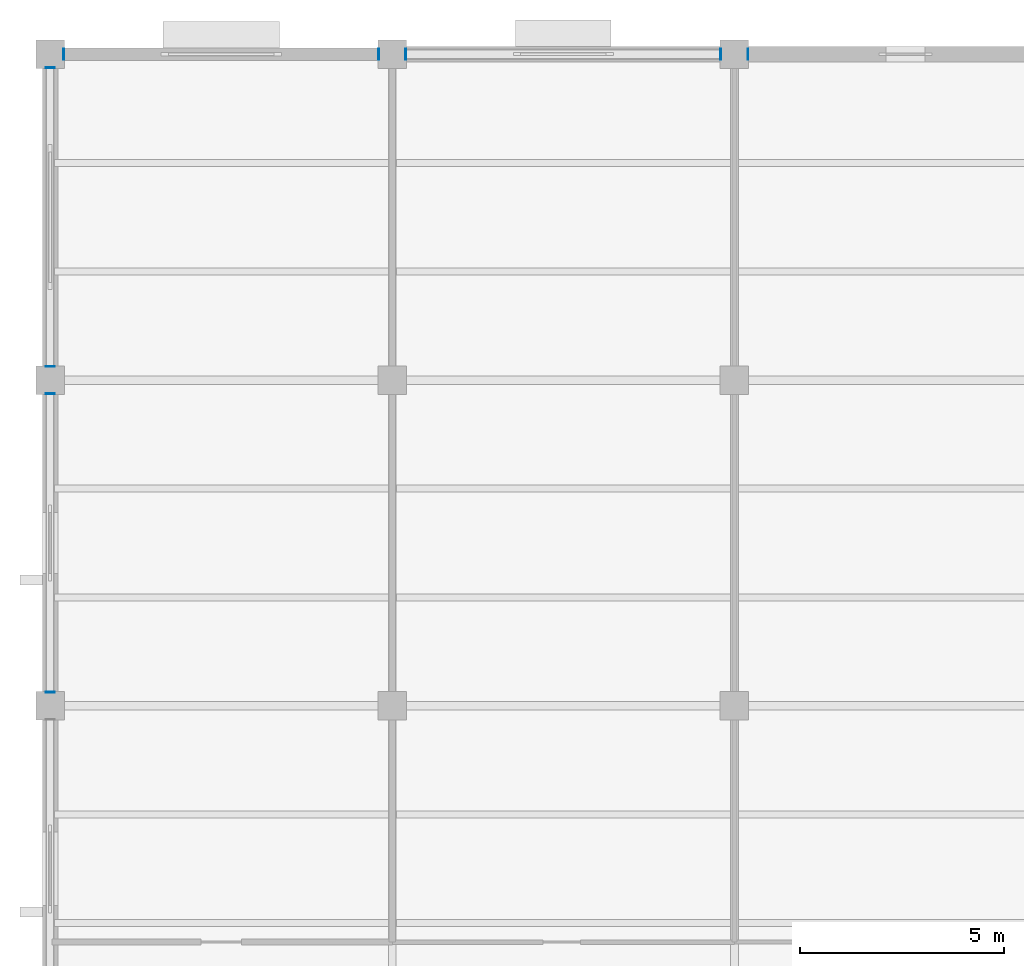
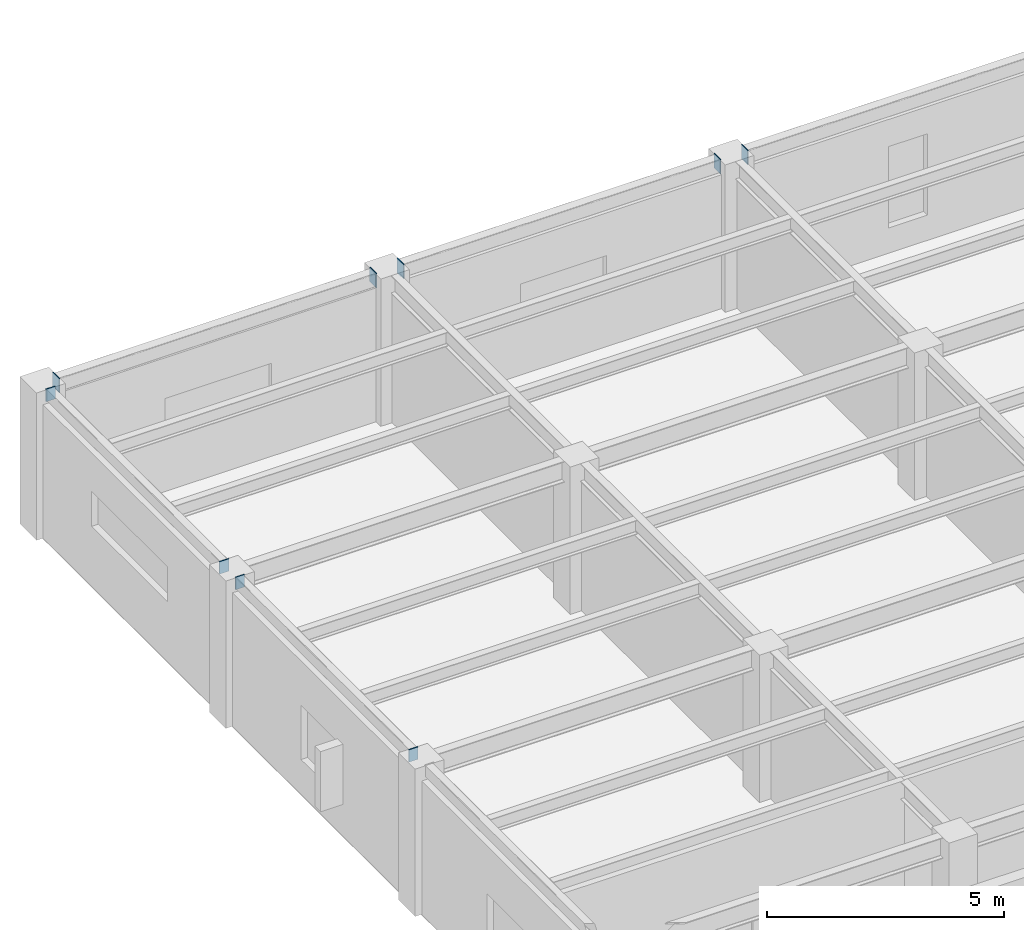
# One storey, part 106 of 138: 9 discrete accessories.
"""IFC4 building model written with IfcOpenShell, lengths in metres."""

from ifc_helpers import new_model, si_unit, direction, frame, origin, origin_2d, place, context, subcontext, project, spatial, rectangle, extrude, material, layer, layer_set, type_object, element, save


model = new_model("IFC4")

# Units and contexts
model_context = context("Model", 3, precision=1e-05, world=origin(), true_north=direction((0.0, 1.0)))
body_context = subcontext(model_context, "Body", "Model", "MODEL_VIEW")
ifc_project = project(units=[si_unit("LENGTHUNIT", "METRE"), si_unit("AREAUNIT", "SQUARE_METRE"), si_unit("VOLUMEUNIT", "CUBIC_METRE"), si_unit("PLANEANGLEUNIT", "RADIAN"), si_unit("MASSUNIT", "GRAM", prefix="KILO")], contexts=[model_context])

# Site, building, storey
site_placement = place(None, origin())
site = spatial("IfcSite", under=ifc_project, at=site_placement, CompositionType="ELEMENT")
building_placement = place(site_placement, origin())
building = spatial("IfcBuilding", under=site, at=building_placement, Name="Kranzveld Transit Interchange", CompositionType="ELEMENT")
storey_placement = place(building_placement, frame((0.0, 0.0, 5.43994140625)))
storey = spatial("IfcBuildingStorey", under=building, at=storey_placement, Name="L01", CompositionType="ELEMENT", Elevation=5.43994140625)

# Discrete accessories
ifc_material = material(Name="Steel S355JR", Category="steel")
ifc_layer = layer(ifc_material, 0.02001953125)
ifc_layer_set = layer_set([ifc_layer], Name="Steel S355JR")
discrete_accessory_type = type_object("IfcDiscreteAccessoryType", Name="Hollow Section End Cap Bracket 20 S355JR", PredefinedType="BRACKET", material=ifc_layer_set)
for number, where, z_axis, x_axis, name in (
    (1, (0.343994140625, 112.0, 3.625), (-1.0, 0.0, 0.0), (0.0, -1.0, 0.0), "Hollow Section End Cap SP-RHS350-1"),
    (2, (8.055908203125, 112.0, 3.625), (1.0, 0.0, 0.0), (0.0, 1.0, 0.0), "Hollow Section End Cap SP-RHS350-2"),
):
    element("IfcDiscreteAccessory", number, at=place(storey_placement, frame(where, z_axis=z_axis, x_axis=x_axis)), inside=storey, type_object=discrete_accessory_type, Name=name, PredefinedType="BRACKET", context=body_context, shape_type="SweptSolid", body=[
        extrude(rectangle(XDim=0.27392578125, YDim=0.3740234375, at=origin_2d()), origin(), (0.0, 0.0, 1.0), 0.02001953125),
    ])
discrete_accessory_placement = place(storey_placement, frame((8.743896484375, 112.0, 3.625), z_axis=(-1.0, 0.0, 0.0), x_axis=(0.0, -1.0, 0.0)))
element("IfcDiscreteAccessory", 3, at=discrete_accessory_placement, inside=storey, type_object=discrete_accessory_type, Name="Hollow Section End Cap SP-RHS350-1", PredefinedType="BRACKET", context=body_context, shape_type="SweptSolid", body=[
    extrude(rectangle(XDim=0.27392578125, YDim=0.3740234375, at=origin_2d()), origin(), (0.0, 0.0, 1.0), 0.019775390625),
])
for number, where, z_axis, x_axis, name in (
    (4, (16.4560546875, 112.0, 3.625), (1.0, 0.0, 0.0), (0.0, 1.0, 0.0), "Hollow Section End Cap SP-RHS350-2"),
    (5, (17.14404296875, 112.0, 3.625), (-1.0, 0.0, 0.0), (0.0, -1.0, 0.0), "Hollow Section End Cap SP-RHS350-1"),
):
    element("IfcDiscreteAccessory", number, at=place(storey_placement, frame(where, z_axis=z_axis, x_axis=x_axis)), inside=storey, type_object=discrete_accessory_type, Name=name, PredefinedType="BRACKET", context=body_context, shape_type="SweptSolid", body=[
        extrude(rectangle(XDim=0.27392578125, YDim=0.3740234375, at=origin_2d()), origin(), (0.0, 0.0, 1.0), 0.02001953125),
    ])
for number, where, z_axis, x_axis, name in (
    (6, (0.0, 96.343994140625, 3.650146484375), (0.0, -1.0, 0.0), (1.0, 0.0, 0.0), "Hollow Section End Cap SP-RHS300-1"),
    (7, (0.0, 103.656005859375, 3.650146484375), (0.0, 1.0, 0.0), (-1.0, 0.0, 0.0), "Hollow Section End Cap SP-RHS300-2"),
    (8, (0.0, 104.343994140625, 3.650146484375), (0.0, -1.0, 0.0), (1.0, 0.0, 0.0), "Hollow Section End Cap SP-RHS300-1"),
    (9, (0.0, 111.656005859375, 3.650146484375), (0.0, 1.0, 0.0), (-1.0, 0.0, 0.0), "Hollow Section End Cap SP-RHS300-2"),
):
    element("IfcDiscreteAccessory", number, at=place(storey_placement, frame(where, z_axis=z_axis, x_axis=x_axis)), inside=storey, type_object=discrete_accessory_type, Name=name, PredefinedType="BRACKET", context=body_context, shape_type="SweptSolid", body=[
        extrude(rectangle(XDim=0.22412109375, YDim=0.323974609375, at=origin_2d()), origin(), (0.0, 0.0, 1.0), 0.02001953125),
    ])

save(model, "model.ifc")
